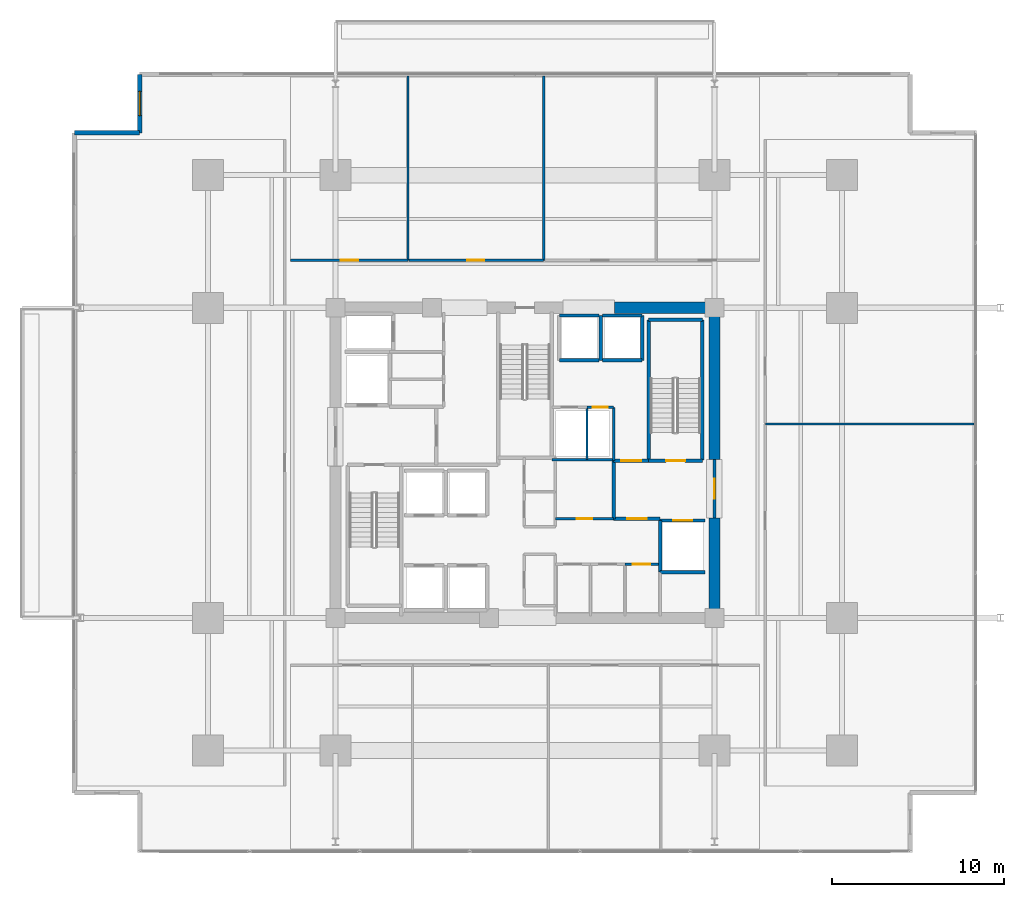
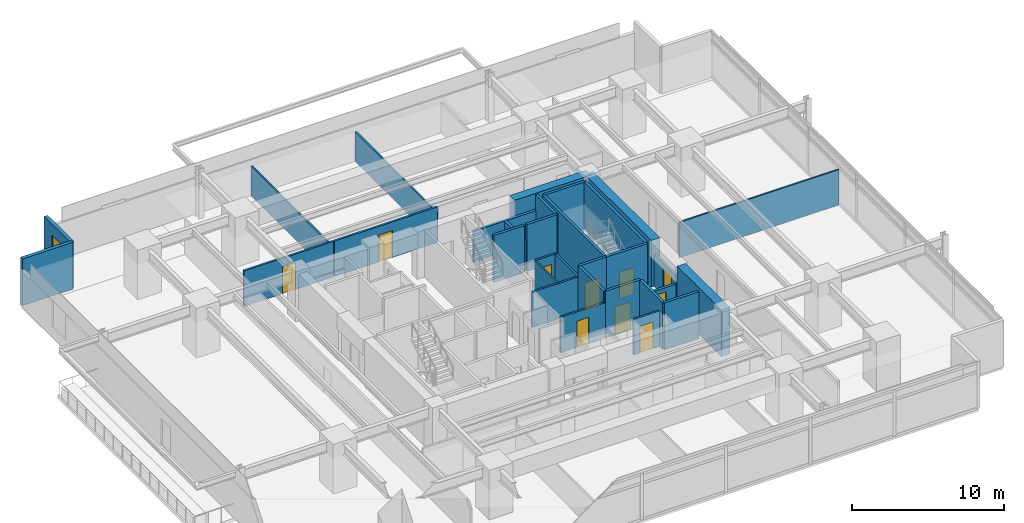
# One storey, part 15 of 20: 33 walls, 10 doors, 1 window, 11 openings.
"""IFC4 building model written with IfcOpenShell, lengths in metres."""

from ifc_helpers import new_model, si_unit, direction, frame, frame_2d, origin, place, context, subcontext, project, spatial, rectangle, extrude, material, layer, layer_set, type_object, element, fill, save


model = new_model("IFC4")

# Units and contexts
model_context = context("Model", 3, precision=1e-05, world=origin(), true_north=direction((0.0, 1.0)))
body_context = subcontext(model_context, "Body", "Model", "MODEL_VIEW")
ifc_project = project(units=[si_unit("LENGTHUNIT", "METRE"), si_unit("AREAUNIT", "SQUARE_METRE"), si_unit("VOLUMEUNIT", "CUBIC_METRE"), si_unit("PLANEANGLEUNIT", "RADIAN"), si_unit("MASSUNIT", "GRAM", prefix="KILO")], contexts=[model_context])

# Site, building, storey
site_placement = place(None, origin())
site = spatial("IfcSite", under=ifc_project, at=site_placement, CompositionType="ELEMENT")
building_placement = place(site_placement, origin())
building = spatial("IfcBuilding", under=site, at=building_placement, Name="Kovane Verandah Tower", CompositionType="ELEMENT")
storey_placement = place(building_placement, frame((0.0, 0.0, 75.60009765625)))
storey = spatial("IfcBuildingStorey", under=building, at=storey_placement, Name="L17", CompositionType="ELEMENT", Elevation=75.60009765625)

# Wall
ifc_material_1 = material(Name="Fire-Rated Gypsum Stud Partition", Category="gypsum")
ifc_layer_1 = layer(ifc_material_1, 0.14990234375)
ifc_layer_set_1 = layer_set([ifc_layer_1], Name="Fire-Rated Gypsum Stud Partition")
wall_type_1 = type_object("IfcWallType", Name="WL-COR-150", PredefinedType="PARTITIONING", material=ifc_layer_set_1)
wall_1_placement = place(storey_placement, frame((41.56005859375, 27.679931640625, 0.0), z_axis=(0.0, 0.0, 1.0), x_axis=(1.0, 0.0, 0.0)))
element("IfcWall", 1, at=wall_1_placement, inside=storey, type_object=wall_type_1, Name="L17 East Core Service Riser South Wall", PredefinedType="PARTITIONING", context=body_context, shape_type="SweptSolid", body=[
    extrude(rectangle(XDim=3.58984375, YDim=0.14990234375, at=frame_2d((1.794921875, 0.0))), origin(), (0.0, 0.0, 1.0), 2.849853515625),
])

# Wall, opening, door
wall_2_placement = place(storey_placement, frame((45.800048828125, 21.6201171875, 0.0), z_axis=(0.0, 0.0, 1.0), x_axis=(1.0, 0.0, 0.0)))
wall_2 = element("IfcWall", 2, at=wall_2_placement, inside=storey, type_object=wall_type_1, Name="L17 Quiet Wellness Room Partition", PredefinedType="PARTITIONING", context=body_context, shape_type="SweptSolid", body=[
    extrude(rectangle(XDim=1.93994140625, YDim=0.14990234375, at=frame_2d((0.969970703125, 0.0))), origin(), (0.0, 0.0, 1.0), 2.849853515625),
])
opening_1_placement = place(wall_2_placement, frame((0.469970703125, 0.0, 0.0)))
opening_1 = element("IfcOpeningElement", 3, at=opening_1_placement, cuts=wall_2, Name="Opening DR-L17-017", PredefinedType="OPENING", context=body_context, shape_type="SweptSolid", body=[
    extrude(rectangle(XDim=1.0, YDim=2.14990234375, at=frame_2d((0.5, 1.074951171875))), frame((0.0, 0.074951171875, 0.0), z_axis=(0.0, -1.0, 0.0), x_axis=(1.0, 0.0, 0.0)), (0.0, 0.0, 1.0), 0.14990234375),
])
ifc_material_2 = material(Name="FSC Spotted-Gum Timber Fire-Rated Office Door", Category="wood")
door_type_1 = type_object("IfcDoorType", Name="DR-OFF-1000", OperationType="SINGLE_SWING_LEFT", PredefinedType="DOOR", material=ifc_material_2)
door_1_placement = place(opening_1_placement, origin())
door_1 = element("IfcDoor", 4, at=door_1_placement, inside=storey, type_object=door_type_1, Name="L17 Quiet Wellness Room Door", OperationType="SINGLE_SWING_RIGHT", OverallHeight=2.14990234375, OverallWidth=1.0, PredefinedType="DOOR", context=body_context, shape_type="SweptSolid", body=[
    extrude(rectangle(XDim=1.0, YDim=2.14990234375, at=frame_2d((0.5, 1.074951171875))), frame((0.0, 0.02490234375, 0.0), z_axis=(0.0, -1.0, 0.0), x_axis=(1.0, 0.0, 0.0)), (0.0, 0.0, 1.0), 0.050048828125),
])
fill(opening_1, door_1)

wall_3_placement = place(storey_placement, frame((41.760009765625, 24.25, 0.0), z_axis=(0.0, 0.0, 1.0), x_axis=(1.0, 0.0, 0.0)))
wall_3 = element("IfcWall", 5, at=wall_3_placement, inside=storey, type_object=wall_type_1, Name="L17 Supply Store Partition", PredefinedType="PARTITIONING", context=body_context, shape_type="SweptSolid", body=[
    extrude(rectangle(XDim=3.389892578125, YDim=0.14990234375, at=frame_2d((1.69482421875, 0.0))), origin(), (0.0, 0.0, 1.0), 2.849853515625),
])
opening_2_placement = place(wall_3_placement, frame((1.2548828125, 0.0, 0.0)))
opening_2 = element("IfcOpeningElement", 6, at=opening_2_placement, cuts=wall_3, Name="Opening DR-L17-018", PredefinedType="OPENING", context=body_context, shape_type="SweptSolid", body=[
    extrude(rectangle(XDim=0.8798828125, YDim=2.10009765625, at=frame_2d((0.43994140625, 1.050048828125))), frame((0.0, 0.074951171875, 0.0), z_axis=(0.0, -1.0, 0.0), x_axis=(1.0, 0.0, 0.0)), (0.0, 0.0, 1.0), 0.14990234375),
])
ifc_material_3 = material(Name="Fire-Rated Steel Riser Access Door", Category="steel")
door_type_2 = type_object("IfcDoorType", Name="DR-RISER-880", OperationType="SINGLE_SWING_LEFT", PredefinedType="DOOR", material=ifc_material_3)
door_2_placement = place(opening_2_placement, origin())
door_2 = element("IfcDoor", 7, at=door_2_placement, inside=storey, type_object=door_type_2, Name="L17 Supply Store Door", OperationType="SINGLE_SWING_LEFT", OverallHeight=2.10009765625, OverallWidth=0.8798828125, PredefinedType="DOOR", context=body_context, shape_type="SweptSolid", body=[
    extrude(rectangle(XDim=0.8798828125, YDim=2.10009765625, at=frame_2d((0.43994140625, 1.050048828125))), frame((0.0, 0.02490234375, 0.0), z_axis=(0.0, -1.0, 0.0), x_axis=(1.0, 0.0, 0.0)), (0.0, 0.0, 1.0), 0.050048828125),
])
fill(opening_2, door_2)

# Wall
wall_4_placement = place(storey_placement, frame((45.14990234375, 27.6201171875, 0.0), z_axis=(0.0, 0.0, 1.0), x_axis=(0.0, 1.0, 0.0)))
element("IfcWall", 8, at=wall_4_placement, inside=storey, type_object=wall_type_1, Name="L17 East Core Service Riser East Wall", PredefinedType="PARTITIONING", context=body_context, shape_type="SweptSolid", body=[
    extrude(rectangle(XDim=3.099853515625, YDim=0.14990234375, at=frame_2d((1.5498046875, 0.0))), origin(), (0.0, 0.0, 1.0), 2.849853515625),
])

# Wall, opening, door
wall_5_placement = place(storey_placement, frame((43.60009765625, 30.719970703125, 0.0), z_axis=(0.0, 0.0, 1.0), x_axis=(1.0, 0.0, 0.0)))
wall_5 = element("IfcWall", 9, at=wall_5_placement, inside=storey, type_object=wall_type_1, Name="L17 Sprinkler Wet Riser Room Partition", PredefinedType="PARTITIONING", context=body_context, shape_type="SweptSolid", body=[
    extrude(rectangle(XDim=1.5498046875, YDim=0.14990234375, at=frame_2d((0.77490234375, 0.0))), origin(), (0.0, 0.0, 1.0), 2.849853515625),
])
opening_3_placement = place(wall_5_placement, frame((0.3349609375, 0.0, 0.0)))
opening_3 = element("IfcOpeningElement", 10, at=opening_3_placement, cuts=wall_5, Name="Opening DR-L17-020", PredefinedType="OPENING", context=body_context, shape_type="SweptSolid", body=[
    extrude(rectangle(XDim=0.8798828125, YDim=2.10009765625, at=frame_2d((0.43994140625, 1.050048828125))), frame((0.0, 0.074951171875, 0.0), z_axis=(0.0, -1.0, 0.0), x_axis=(1.0, 0.0, 0.0)), (0.0, 0.0, 1.0), 0.14990234375),
])
door_3_placement = place(opening_3_placement, origin())
door_3 = element("IfcDoor", 11, at=door_3_placement, inside=storey, type_object=door_type_2, Name="L17 Sprinkler Wet Riser Room Door", OperationType="SINGLE_SWING_LEFT", OverallHeight=2.10009765625, OverallWidth=0.8798828125, PredefinedType="DOOR", context=body_context, shape_type="SweptSolid", body=[
    extrude(rectangle(XDim=0.8798828125, YDim=2.10009765625, at=frame_2d((0.43994140625, 1.050048828125))), frame((0.0, 0.02490234375, 0.0), z_axis=(0.0, -1.0, 0.0), x_axis=(1.0, 0.0, 0.0)), (0.0, 0.0, 1.0), 0.050048828125),
])
fill(opening_3, door_3)

wall_6_placement = place(storey_placement, frame((26.39990234375, 39.25, 0.0), z_axis=(0.0, 0.0, 1.0), x_axis=(1.0, 0.0, 0.0)))
wall_6 = element("IfcWall", 12, at=wall_6_placement, inside=storey, type_object=wall_type_1, Name="L17 Focus Studio N1 Corridor Partition", PredefinedType="PARTITIONING", context=body_context, shape_type="SweptSolid", body=[
    extrude(rectangle(XDim=6.800048828125, YDim=0.14990234375, at=frame_2d((3.39990234375, 0.0))), origin(), (0.0, 0.0, 1.0), 2.849853515625),
])
opening_4_placement = place(wall_6_placement, frame((2.9150390625, 0.0, 0.0)))
opening_4 = element("IfcOpeningElement", 13, at=opening_4_placement, cuts=wall_6, Name="Opening DR-L17-021", PredefinedType="OPENING", context=body_context, shape_type="SweptSolid", body=[
    extrude(rectangle(XDim=1.0, YDim=2.14990234375, at=frame_2d((0.5, 1.074951171875))), frame((0.0, 0.074951171875, 0.0), z_axis=(0.0, -1.0, 0.0), x_axis=(1.0, 0.0, 0.0)), (0.0, 0.0, 1.0), 0.14990234375),
])
door_4_placement = place(opening_4_placement, origin())
door_4 = element("IfcDoor", 14, at=door_4_placement, inside=storey, type_object=door_type_1, Name="L17 Focus Studio N1 Entrance Door", OperationType="SINGLE_SWING_RIGHT", OverallHeight=2.14990234375, OverallWidth=1.0, PredefinedType="DOOR", context=body_context, shape_type="SweptSolid", body=[
    extrude(rectangle(XDim=1.0, YDim=2.14990234375, at=frame_2d((0.5, 1.074951171875))), frame((0.0, 0.02490234375, 0.0), z_axis=(0.0, -1.0, 0.0), x_axis=(1.0, 0.0, 0.0)), (0.0, 0.0, 1.0), 0.050048828125),
])
fill(opening_4, door_4)

wall_7_placement = place(storey_placement, frame((33.27001953125, 39.25, 0.0), z_axis=(0.0, 0.0, 1.0), x_axis=(1.0, 0.0, 0.0)))
wall_7 = element("IfcWall", 15, at=wall_7_placement, inside=storey, type_object=wall_type_1, Name="L17 Breakout Pantry N2 Corridor Partition", PredefinedType="PARTITIONING", context=body_context, shape_type="SweptSolid", body=[
    extrude(rectangle(XDim=7.81787109375, YDim=0.14990234375, at=frame_2d((3.908935546875, 0.0))), origin(), (0.0, 0.0, 1.0), 2.849853515625),
])
opening_5_placement = place(wall_7_placement, frame((3.3740234375, 0.0, 0.0)))
opening_5 = element("IfcOpeningElement", 16, at=opening_5_placement, cuts=wall_7, Name="Opening DR-L17-022", PredefinedType="OPENING", context=body_context, shape_type="SweptSolid", body=[
    extrude(rectangle(XDim=1.0, YDim=2.14990234375, at=frame_2d((0.5, 1.074951171875))), frame((0.0, 0.074951171875, 0.0), z_axis=(0.0, -1.0, 0.0), x_axis=(1.0, 0.0, 0.0)), (0.0, 0.0, 1.0), 0.14990234375),
])
door_5_placement = place(opening_5_placement, origin())
door_5 = element("IfcDoor", 17, at=door_5_placement, inside=storey, type_object=door_type_1, Name="L17 Breakout Pantry N2 Entrance Door", OperationType="SINGLE_SWING_LEFT", OverallHeight=2.14990234375, OverallWidth=1.0, PredefinedType="DOOR", context=body_context, shape_type="SweptSolid", body=[
    extrude(rectangle(XDim=1.0, YDim=2.14990234375, at=frame_2d((0.5, 1.074951171875))), frame((0.0, 0.02490234375, 0.0), z_axis=(0.0, -1.0, 0.0), x_axis=(1.0, 0.0, 0.0)), (0.0, 0.0, 1.0), 0.050048828125),
])
fill(opening_5, door_5)

# Walls
ifc_material_4 = material(Name="Concrete C80/95", Category="concrete")
ifc_layer_2 = layer(ifc_material_4, 0.64990234375)
ifc_layer_set_2 = layer_set([ifc_layer_2], Name="Concrete C80/95")
wall_type_2 = type_object("IfcWallType", Name="WL-CORE-650", PredefinedType="SHEAR", material=ifc_layer_set_2)
for number, where, z_axis, x_axis, name in (
    (18, (45.199951171875, 36.5, 0.0), (0.0, 0.0, 1.0), (1.0, 0.0, 0.0), "L17 Core Shear Wall CN-3"),
    (19, (51.0, 18.5, 0.0), (0.0, 0.0, 1.0), (0.0, 1.0, 0.0), "L17 Core Shear Wall CE-1"),
):
    element("IfcWall", number, at=place(storey_placement, frame(where, z_axis=z_axis, x_axis=x_axis)), inside=storey, type_object=wall_type_2, Name=name, PredefinedType="SHEAR", context=body_context, shape_type="SweptSolid", body=[
        extrude(rectangle(XDim=5.800048828125, YDim=0.64990234375, at=frame_2d((2.89990234375, 0.0))), origin(), (0.0, 0.0, 1.0), 3.760009765625),
    ])
wall_8_placement = place(storey_placement, frame((51.0, 27.699951171875, 0.0), z_axis=(0.0, 0.0, 1.0), x_axis=(0.0, 1.0, 0.0)))
element("IfcWall", 20, at=wall_8_placement, inside=storey, type_object=wall_type_2, Name="L17 Core Shear Wall CE-2", PredefinedType="SHEAR", context=body_context, shape_type="SweptSolid", body=[
    extrude(rectangle(XDim=8.800048828125, YDim=0.64990234375, at=frame_2d((4.39990234375, 0.0))), origin(), (0.0, 0.0, 1.0), 3.760009765625),
])
ifc_material_5 = material(Name="Concrete C45/55 Fire Wall", Category="concrete")
ifc_layer_3 = layer(ifc_material_5, 0.199951171875)
ifc_layer_set_3 = layer_set([ifc_layer_3], Name="Concrete C45/55 Fire Wall")
wall_type_3 = type_object("IfcWallType", Name="WL-FFL-200", PredefinedType="PARTITIONING", material=ifc_layer_set_3)
wall_9_placement = place(storey_placement, frame((45.14990234375, 24.25, 0.0), z_axis=(0.0, 0.0, 1.0), x_axis=(0.0, 1.0, 0.0)))
element("IfcWall", 21, at=wall_9_placement, inside=storey, type_object=wall_type_3, Name="L17 East Firefighting Lobby West Fire Wall", PredefinedType="PARTITIONING", context=body_context, shape_type="SweptSolid", body=[
    extrude(rectangle(XDim=3.3701171875, YDim=0.199951171875, at=frame_2d((1.68505859375, 0.0))), origin(), (0.0, 0.0, 1.0), 3.760009765625),
])

# Wall, opening, door
wall_10_placement = place(storey_placement, frame((45.14990234375, 24.25, 0.0), z_axis=(0.0, 0.0, 1.0), x_axis=(1.0, 0.0, 0.0)))
wall_10 = element("IfcWall", 22, at=wall_10_placement, inside=storey, type_object=wall_type_3, Name="W-L17-FFLE-S", PredefinedType="PARTITIONING", context=body_context, shape_type="SweptSolid", body=[
    extrude(rectangle(XDim=2.7001953125, YDim=0.199951171875, at=frame_2d((1.35009765625, 0.0))), origin(), (0.0, 0.0, 1.0), 3.760009765625),
])
opening_6_placement = place(wall_10_placement, frame((0.77490234375, 0.0, 0.0)))
opening_6 = element("IfcOpeningElement", 23, at=opening_6_placement, cuts=wall_10, Name="Opening DR-L17-003", PredefinedType="OPENING", context=body_context, shape_type="SweptSolid", body=[
    extrude(rectangle(XDim=1.14990234375, YDim=2.199951171875, at=frame_2d((0.574951171875, 1.10009765625))), frame((0.0, 0.10009765625, 0.0), z_axis=(0.0, -1.0, 0.0), x_axis=(1.0, 0.0, 0.0)), (0.0, 0.0, 1.0), 0.199951171875),
])
ifc_material_6 = material(Name="Smoke-Sealed Firefighting Lobby Door", Category="steel")
door_type_3 = type_object("IfcDoorType", Name="DR-FFL-1150", OperationType="SINGLE_SWING_LEFT", PredefinedType="DOOR", material=ifc_material_6)
door_6_placement = place(opening_6_placement, origin())
door_6 = element("IfcDoor", 24, at=door_6_placement, inside=storey, type_object=door_type_3, Name="L17 East Firefighting Lobby Inner Door", OperationType="SINGLE_SWING_RIGHT", OverallHeight=2.199951171875, OverallWidth=1.14990234375, PredefinedType="DOOR", context=body_context, shape_type="SweptSolid", body=[
    extrude(rectangle(XDim=1.14990234375, YDim=2.199951171875, at=frame_2d((0.574951171875, 1.10009765625))), frame((0.0, 0.02490234375, 0.0), z_axis=(0.0, -1.0, 0.0), x_axis=(1.0, 0.0, 0.0)), (0.0, 0.0, 1.0), 0.050048828125),
])
fill(opening_6, door_6)

wall_11_placement = place(storey_placement, frame((45.14990234375, 27.6201171875, 0.0), z_axis=(0.0, 0.0, 1.0), x_axis=(1.0, 0.0, 0.0)))
wall_11 = element("IfcWall", 25, at=wall_11_placement, inside=storey, type_object=wall_type_3, Name="W-L17-FFLE-N", PredefinedType="PARTITIONING", context=body_context, shape_type="SweptSolid", body=[
    extrude(rectangle(XDim=2.030029296875, YDim=0.199951171875, at=frame_2d((1.01513671875, 0.0))), origin(), (0.0, 0.0, 1.0), 3.760009765625),
])
opening_7_placement = place(wall_11_placement, frame((0.43994140625, 0.0, 0.0)))
opening_7 = element("IfcOpeningElement", 26, at=opening_7_placement, cuts=wall_11, Name="Opening DR-L17-004", PredefinedType="OPENING", context=body_context, shape_type="SweptSolid", body=[
    extrude(rectangle(XDim=1.14990234375, YDim=2.199951171875, at=frame_2d((0.574951171875, 1.10009765625))), frame((0.0, 0.10009765625, 0.0), z_axis=(0.0, -1.0, 0.0), x_axis=(1.0, 0.0, 0.0)), (0.0, 0.0, 1.0), 0.199951171875),
])
door_7_placement = place(opening_7_placement, origin())
door_7 = element("IfcDoor", 27, at=door_7_placement, inside=storey, type_object=door_type_3, Name="L17 East Firefighting Lobby Shuttle Link Door", OperationType="SINGLE_SWING_LEFT", OverallHeight=2.199951171875, OverallWidth=1.14990234375, PredefinedType="DOOR", context=body_context, shape_type="SweptSolid", body=[
    extrude(rectangle(XDim=1.14990234375, YDim=2.199951171875, at=frame_2d((0.574951171875, 1.10009765625))), frame((0.0, 0.02490234375, 0.0), z_axis=(0.0, -1.0, 0.0), x_axis=(1.0, 0.0, 0.0)), (0.0, 0.0, 1.0), 0.050048828125),
])
fill(opening_7, door_7)

wall_12_placement = place(storey_placement, frame((51.0, 24.300048828125, 0.0), z_axis=(0.0, 0.0, 1.0), x_axis=(0.0, 1.0, 0.0)))
wall_12 = element("IfcWall", 28, at=wall_12_placement, inside=storey, type_object=wall_type_3, Name="W-L17-FFLE-OUT", PredefinedType="PARTITIONING", context=body_context, shape_type="SweptSolid", body=[
    extrude(rectangle(XDim=3.39990234375, YDim=0.199951171875, at=frame_2d((1.699951171875, 0.0))), origin(), (0.0, 0.0, 1.0), 2.539794921875),
])
opening_8_placement = place(wall_12_placement, frame((1.125, 0.0, 0.0)))
opening_8 = element("IfcOpeningElement", 29, at=opening_8_placement, cuts=wall_12, Name="Opening DR-L17-005", PredefinedType="OPENING", context=body_context, shape_type="SweptSolid", body=[
    extrude(rectangle(XDim=1.14990234375, YDim=2.199951171875, at=frame_2d((0.574951171875, 1.10009765625))), frame((0.0, 0.10009765625, 0.0), z_axis=(0.0, -1.0, 0.0), x_axis=(1.0, 0.0, 0.0)), (0.0, 0.0, 1.0), 0.199951171875),
])
door_8_placement = place(opening_8_placement, origin())
door_8 = element("IfcDoor", 30, at=door_8_placement, inside=storey, type_object=door_type_3, Name="L17 East Firefighting Lobby Corridor Door", OperationType="SINGLE_SWING_LEFT", OverallHeight=2.199951171875, OverallWidth=1.14990234375, PredefinedType="DOOR", context=body_context, shape_type="SweptSolid", body=[
    extrude(rectangle(XDim=1.14990234375, YDim=2.199951171875, at=frame_2d((0.574951171875, 1.10009765625))), frame((0.0, 0.02490234375, 0.0), z_axis=(0.0, -1.0, 0.0), x_axis=(1.0, 0.0, 0.0)), (0.0, 0.0, 1.0), 0.050048828125),
])
fill(opening_8, door_8)

# Wall
ifc_material_7 = material(Name="Concrete C45/55 Lift Shaft Wall", Category="concrete")
ifc_layer_4 = layer(ifc_material_7, 0.199951171875)
ifc_layer_set_4 = layer_set([ifc_layer_4], Name="Concrete C45/55 Lift Shaft Wall")
wall_type_4 = type_object("IfcWallType", Name="WL-LIFT-200", PredefinedType="SOLIDWALL", material=ifc_layer_set_4)
wall_13_placement = place(storey_placement, frame((47.85009765625, 21.14990234375, 0.0), z_axis=(0.0, 0.0, 1.0), x_axis=(1.0, 0.0, 0.0)))
element("IfcWall", 31, at=wall_13_placement, inside=storey, type_object=wall_type_4, Name="L17 Lift FL-02 S Shaft Wall", PredefinedType="SOLIDWALL", context=body_context, shape_type="SweptSolid", body=[
    extrude(rectangle(XDim=2.599853515625, YDim=0.199951171875, at=frame_2d((1.2998046875, 0.0))), origin(), (0.0, 0.0, 1.0), 3.760009765625),
])

# Wall, opening, door
wall_14_placement = place(storey_placement, frame((50.449951171875, 24.14990234375, 0.0), z_axis=(0.0, 0.0, 1.0), x_axis=(-1.0, 0.0, 0.0)))
wall_14 = element("IfcWall", 32, at=wall_14_placement, inside=storey, type_object=wall_type_4, Name="L17 Lift FL-02 N Shaft Wall", PredefinedType="SOLIDWALL", context=body_context, shape_type="SweptSolid", body=[
    extrude(rectangle(XDim=2.599853515625, YDim=0.199951171875, at=frame_2d((1.2998046875, 0.0))), origin(), (0.0, 0.0, 1.0), 2.539794921875),
])
opening_9_placement = place(wall_14_placement, frame((0.75, 0.0, 0.0)))
opening_9 = element("IfcOpeningElement", 33, at=opening_9_placement, cuts=wall_14, Name="Opening LD-L17-002", PredefinedType="OPENING", context=body_context, shape_type="SweptSolid", body=[
    extrude(rectangle(XDim=1.10009765625, YDim=2.199951171875, at=frame_2d((0.550048828125, 1.10009765625))), frame((0.0, 0.10009765625, 0.0), z_axis=(0.0, -1.0, 0.0), x_axis=(1.0, 0.0, 0.0)), (0.0, 0.0, 1.0), 0.199951171875),
])
ifc_material_8 = material(Name="Brushed Stainless Steel Sliding Lift Landing Door", Category="steel")
door_type_4 = type_object("IfcDoorType", Name="DR-LIFT-1100", OperationType="SLIDING_TO_RIGHT", PredefinedType="DOOR", material=ifc_material_8)
door_9_placement = place(opening_9_placement, origin())
door_9 = element("IfcDoor", 34, at=door_9_placement, inside=storey, type_object=door_type_4, Name="L17 Lift FL-02 Sliding Landing Door", OperationType="SLIDING_TO_RIGHT", OverallHeight=2.199951171875, OverallWidth=1.10009765625, PredefinedType="DOOR", context=body_context, shape_type="SweptSolid", body=[
    extrude(rectangle(XDim=1.10009765625, YDim=2.199951171875, at=frame_2d((0.550048828125, 1.10009765625))), frame((0.0, 0.02490234375, 0.0), z_axis=(0.0, -1.0, 0.0), x_axis=(1.0, 0.0, 0.0)), (0.0, 0.0, 1.0), 0.050048828125),
])
fill(opening_9, door_9)

# Walls
wall_15_placement = place(storey_placement, frame((47.85009765625, 24.14990234375, 0.0), z_axis=(0.0, 0.0, 1.0), x_axis=(0.0, -1.0, 0.0)))
element("IfcWall", 35, at=wall_15_placement, inside=storey, type_object=wall_type_4, Name="L17 Lift FL-02 W Shaft Wall", PredefinedType="SOLIDWALL", context=body_context, shape_type="SweptSolid", body=[
    extrude(rectangle(XDim=3.0, YDim=0.199951171875, at=frame_2d((1.5, 0.0))), origin(), (0.0, 0.0, 1.0), 3.760009765625),
])
wall_16_placement = place(storey_placement, frame((42.0, 33.449951171875, 0.0), z_axis=(0.0, 0.0, 1.0), x_axis=(1.0, 0.0, 0.0)))
element("IfcWall", 36, at=wall_16_placement, inside=storey, type_object=wall_type_4, Name="L17 Lift SL-01 S Shaft Wall", PredefinedType="SOLIDWALL", context=body_context, shape_type="SweptSolid", body=[
    extrude(rectangle(XDim=2.300048828125, YDim=0.199951171875, at=frame_2d((1.14990234375, 0.0))), origin(), (0.0, 0.0, 1.0), 3.760009765625),
])
wall_17_placement = place(storey_placement, frame((44.300048828125, 36.050048828125, 0.0), z_axis=(0.0, 0.0, 1.0), x_axis=(-1.0, 0.0, 0.0)))
element("IfcWall", 37, at=wall_17_placement, inside=storey, type_object=wall_type_4, Name="L17 Lift SL-01 N Shaft Wall", PredefinedType="SOLIDWALL", context=body_context, shape_type="SweptSolid", body=[
    extrude(rectangle(XDim=2.300048828125, YDim=0.199951171875, at=frame_2d((1.14990234375, 0.0))), origin(), (0.0, 0.0, 1.0), 2.539794921875),
])
wall_18_placement = place(storey_placement, frame((44.39990234375, 33.449951171875, 0.0), z_axis=(0.0, 0.0, 1.0), x_axis=(0.0, 1.0, 0.0)))
element("IfcWall", 38, at=wall_18_placement, inside=storey, type_object=wall_type_4, Name="L17 Lift OL-01 and SL-01 Shared Shaft Wall", PredefinedType="SOLIDWALL", context=body_context, shape_type="SweptSolid", body=[
    extrude(rectangle(XDim=2.60009765625, YDim=0.199951171875, at=frame_2d((1.300048828125, 0.0))), origin(), (0.0, 0.0, 1.0), 2.539794921875),
])
wall_19_placement = place(storey_placement, frame((44.5, 33.449951171875, 0.0), z_axis=(0.0, 0.0, 1.0), x_axis=(1.0, 0.0, 0.0)))
element("IfcWall", 39, at=wall_19_placement, inside=storey, type_object=wall_type_4, Name="L17 Lift OL-01 S Shaft Wall", PredefinedType="SOLIDWALL", context=body_context, shape_type="SweptSolid", body=[
    extrude(rectangle(XDim=2.300048828125, YDim=0.199951171875, at=frame_2d((1.14990234375, 0.0))), origin(), (0.0, 0.0, 1.0), 3.760009765625),
])
wall_20_placement = place(storey_placement, frame((46.800048828125, 36.050048828125, 0.0), z_axis=(0.0, 0.0, 1.0), x_axis=(-1.0, 0.0, 0.0)))
element("IfcWall", 40, at=wall_20_placement, inside=storey, type_object=wall_type_4, Name="L17 Lift OL-01 N Shaft Wall", PredefinedType="SOLIDWALL", context=body_context, shape_type="SweptSolid", body=[
    extrude(rectangle(XDim=2.300048828125, YDim=0.199951171875, at=frame_2d((1.14990234375, 0.0))), origin(), (0.0, 0.0, 1.0), 2.539794921875),
])
wall_21_placement = place(storey_placement, frame((46.800048828125, 33.449951171875, 0.0), z_axis=(0.0, 0.0, 1.0), x_axis=(0.0, 1.0, 0.0)))
element("IfcWall", 41, at=wall_21_placement, inside=storey, type_object=wall_type_4, Name="L17 Lift OL-01 E Shaft Wall", PredefinedType="SOLIDWALL", context=body_context, shape_type="SweptSolid", body=[
    extrude(rectangle(XDim=2.60009765625, YDim=0.199951171875, at=frame_2d((1.300048828125, 0.0))), origin(), (0.0, 0.0, 1.0), 3.760009765625),
])
ifc_material_9 = material(Name="Acoustic Fire-Rated Gypsum Partition", Category="gypsum")
ifc_layer_5 = layer(ifc_material_9, 0.1201171875)
ifc_layer_set_5 = layer_set([ifc_layer_5], Name="Acoustic Fire-Rated Gypsum Partition")
wall_type_5 = type_object("IfcWallType", Name="WL-PART-120", PredefinedType="PARTITIONING", material=ifc_layer_set_5)
wall_22_placement = place(storey_placement, frame((43.60009765625, 27.679931640625, 0.0), z_axis=(0.0, 0.0, 1.0), x_axis=(0.0, 1.0, 0.0)))
element("IfcWall", 42, at=wall_22_placement, inside=storey, type_object=wall_type_5, Name="L17 Service Riser Dividing Partition", PredefinedType="PARTITIONING", context=body_context, shape_type="SweptSolid", body=[
    extrude(rectangle(XDim=3.0400390625, YDim=0.1201171875, at=frame_2d((1.52001953125, 0.0))), origin(), (0.0, 0.0, 1.0), 2.849853515625),
])
for number, where, z_axis, x_axis, name in (
    (43, (33.199951171875, 39.25, 0.0), (0.0, 0.0, 1.0), (0.0, 1.0, 0.0), "L17 Focus Studio N1 Dividing Partition"),
    (44, (41.087890625, 39.25, 0.0), (0.0, 0.0, 1.0), (0.0, 1.0, 0.0), "L17 Breakout Pantry N2 Dividing Partition"),
):
    element("IfcWall", number, at=place(storey_placement, frame(where, z_axis=z_axis, x_axis=x_axis)), inside=storey, type_object=wall_type_5, Name=name, PredefinedType="PARTITIONING", context=body_context, shape_type="SweptSolid", body=[
        extrude(rectangle(XDim=10.70361328125, YDim=0.1201171875, at=frame_2d((5.351806640625, 0.0))), origin(), (0.0, 0.0, 1.0), 2.389892578125),
    ])
wall_23_placement = place(storey_placement, frame((53.949951171875, 29.75048828125, 0.0), z_axis=(0.0, 0.0, 1.0), x_axis=(1.0, 0.0, 0.0)))
element("IfcWall", 45, at=wall_23_placement, inside=storey, type_object=wall_type_5, Name="L17 Breakout Pantry E1 Dividing Partition", PredefinedType="PARTITIONING", context=body_context, shape_type="SweptSolid", body=[
    extrude(rectangle(XDim=12.112548828125, YDim=0.1201171875, at=frame_2d((6.05615234375, 0.0))), origin(), (0.0, 0.0, 1.0), 2.849853515625),
])
ifc_material_10 = material(Name="Concrete C45/55", Category="concrete")
ifc_layer_6 = layer(ifc_material_10, 0.199951171875)
ifc_layer_set_6 = layer_set([ifc_layer_6], Name="Concrete C45/55")
wall_type_6 = type_object("IfcWallType", Name="WL-SHAFT-200", PredefinedType="SOLIDWALL", material=ifc_layer_set_6)
wall_24_placement = place(storey_placement, frame((50.300048828125, 27.64990234375, 0.0), z_axis=(0.0, 0.0, 1.0), x_axis=(0.0, 1.0, 0.0)))
element("IfcWall", 46, at=wall_24_placement, inside=storey, type_object=wall_type_6, Name="W-L17-ST02-E", PredefinedType="SOLIDWALL", context=body_context, shape_type="SweptSolid", body=[
    extrude(rectangle(XDim=8.150146484375, YDim=0.199951171875, at=frame_2d((4.0751953125, 0.0))), origin(), (0.0, 0.0, 1.0), 3.760009765625),
])
wall_25_placement = place(storey_placement, frame((47.179931640625, 35.800048828125, 0.0), z_axis=(0.0, 0.0, 1.0), x_axis=(1.0, 0.0, 0.0)))
element("IfcWall", 47, at=wall_25_placement, inside=storey, type_object=wall_type_6, Name="W-L17-ST02-N", PredefinedType="SOLIDWALL", context=body_context, shape_type="SweptSolid", body=[
    extrude(rectangle(XDim=3.1201171875, YDim=0.199951171875, at=frame_2d((1.56005859375, 0.0))), origin(), (0.0, 0.0, 1.0), 3.760009765625),
])
wall_26_placement = place(storey_placement, frame((47.179931640625, 27.6201171875, 0.0), z_axis=(0.0, 0.0, 1.0), x_axis=(0.0, 1.0, 0.0)))
element("IfcWall", 48, at=wall_26_placement, inside=storey, type_object=wall_type_6, Name="W-L17-ST02-W", PredefinedType="SOLIDWALL", context=body_context, shape_type="SweptSolid", body=[
    extrude(rectangle(XDim=8.179931640625, YDim=0.199951171875, at=frame_2d((4.08984375, 0.0))), origin(), (0.0, 0.0, 1.0), 3.760009765625),
])

# Wall, opening, door
wall_27_placement = place(storey_placement, frame((47.179931640625, 27.6201171875, 0.0), z_axis=(0.0, 0.0, 1.0), x_axis=(1.0, 0.0, 0.0)))
wall_27 = element("IfcWall", 49, at=wall_27_placement, inside=storey, type_object=wall_type_6, Name="W-L17-ST02-S", PredefinedType="SOLIDWALL", context=body_context, shape_type="SweptSolid", body=[
    extrude(rectangle(XDim=3.1201171875, YDim=0.199951171875, at=frame_2d((1.56005859375, 0.0))), origin(), (0.0, 0.0, 1.0), 3.760009765625),
])
opening_10_placement = place(wall_27_placement, frame((1.010009765625, 0.0, 0.0)))
opening_10 = element("IfcOpeningElement", 50, at=opening_10_placement, cuts=wall_27, Name="Opening DR-L17-010", PredefinedType="OPENING", context=body_context, shape_type="SweptSolid", body=[
    extrude(rectangle(XDim=1.10009765625, YDim=2.14990234375, at=frame_2d((0.550048828125, 1.074951171875))), frame((0.0, 0.10009765625, 0.0), z_axis=(0.0, -1.0, 0.0), x_axis=(1.0, 0.0, 0.0)), (0.0, 0.0, 1.0), 0.199951171875),
])
ifc_material_11 = material(Name="Fire-Rated Steel Exit Door", Category="steel")
door_type_5 = type_object("IfcDoorType", Name="DR-STAIR-1100", OperationType="SINGLE_SWING_LEFT", PredefinedType="DOOR", material=ifc_material_11)
door_10_placement = place(opening_10_placement, origin())
door_10 = element("IfcDoor", 51, at=door_10_placement, inside=storey, type_object=door_type_5, Name="L17 ST-02 Fire Exit Stair Door", OperationType="SINGLE_SWING_RIGHT", OverallHeight=2.14990234375, OverallWidth=1.10009765625, PredefinedType="DOOR", context=body_context, shape_type="SweptSolid", body=[
    extrude(rectangle(XDim=1.10009765625, YDim=2.14990234375, at=frame_2d((0.550048828125, 1.074951171875))), frame((0.0, 0.02490234375, 0.0), z_axis=(0.0, -1.0, 0.0), x_axis=(1.0, 0.0, 0.0)), (0.0, 0.0, 1.0), 0.050048828125),
])
fill(opening_10, door_10)

# Wall, opening, window
ifc_material_12 = material(Name="Concrete C45/55 Insulated Spandrel Wall", Category="concrete")
ifc_layer_7 = layer(ifc_material_12, 0.260009765625)
ifc_layer_set_7 = layer_set([ifc_layer_7], Name="Concrete C45/55 Insulated Spandrel Wall")
wall_type_7 = type_object("IfcWallType", Name="WL-SPANDREL-260", PredefinedType="PARAPET", material=ifc_layer_set_7)
wall_28_placement = place(storey_placement, frame((17.6376953125, 50.0537109375, 0.0), z_axis=(0.0, 0.0, 1.0), x_axis=(0.0, -1.0, 0.0)))
wall_28 = element("IfcWall", 52, at=wall_28_placement, inside=storey, type_object=wall_type_7, Name="L17 NW Notch Cheek Wall 1", PredefinedType="PARAPET", context=body_context, shape_type="SweptSolid", body=[
    extrude(rectangle(XDim=3.39990234375, YDim=0.260009765625, at=frame_2d((1.699951171875, 0.0))), origin(), (0.0, 0.0, 1.0), 3.760009765625),
])
opening_11_placement = place(wall_28_placement, frame((1.0, 0.0, 0.85009765625)))
opening_11 = element("IfcOpeningElement", 53, at=opening_11_placement, cuts=wall_28, Name="Opening W-01", PredefinedType="OPENING", context=body_context, shape_type="SweptSolid", body=[
    extrude(rectangle(XDim=1.39990234375, YDim=2.0, at=frame_2d((0.699951171875, 1.0))), frame((0.0, 0.1298828125, 0.0), z_axis=(0.0, -1.0, 0.0), x_axis=(1.0, 0.0, 0.0)), (0.0, 0.0, 1.0), 0.260009765625),
])
ifc_material_13 = material(Name="Clear Low-E Laminated Double Glazing in Anodised Frame", Category="glass")
window_type = type_object("IfcWindowType", Name="WN-OPER-1400x2000", PartitioningType="SINGLE_PANEL", PredefinedType="WINDOW", material=ifc_material_13)
window_placement = place(opening_11_placement, origin())
window = element("IfcWindow", 54, at=window_placement, inside=storey, type_object=window_type, Name="L17 NW Re-Entrant Corner Operable Window", OverallHeight=2.0, OverallWidth=1.39990234375, PartitioningType="SINGLE_PANEL", PredefinedType="WINDOW", context=body_context, shape_type="SweptSolid", body=[
    extrude(rectangle(XDim=1.39990234375, YDim=2.0, at=frame_2d((0.699951171875, 1.0))), frame((0.0, 0.030029296875, 0.0), z_axis=(0.0, -1.0, 0.0), x_axis=(1.0, 0.0, 0.0)), (0.0, 0.0, 1.0), 0.06005859375),
])
fill(opening_11, window)

# Wall
wall_29_placement = place(storey_placement, frame((17.6376953125, 46.65380859375, 0.0), z_axis=(0.0, 0.0, 1.0), x_axis=(-1.0, 0.0, 0.0)))
element("IfcWall", 55, at=wall_29_placement, inside=storey, type_object=wall_type_7, Name="L17 NW Notch Cheek Wall 2", PredefinedType="PARAPET", context=body_context, shape_type="SweptSolid", body=[
    extrude(rectangle(XDim=3.800048828125, YDim=0.260009765625, at=frame_2d((1.89990234375, 0.0))), origin(), (0.0, 0.0, 1.0), 3.760009765625),
])

save(model, "model.ifc")
